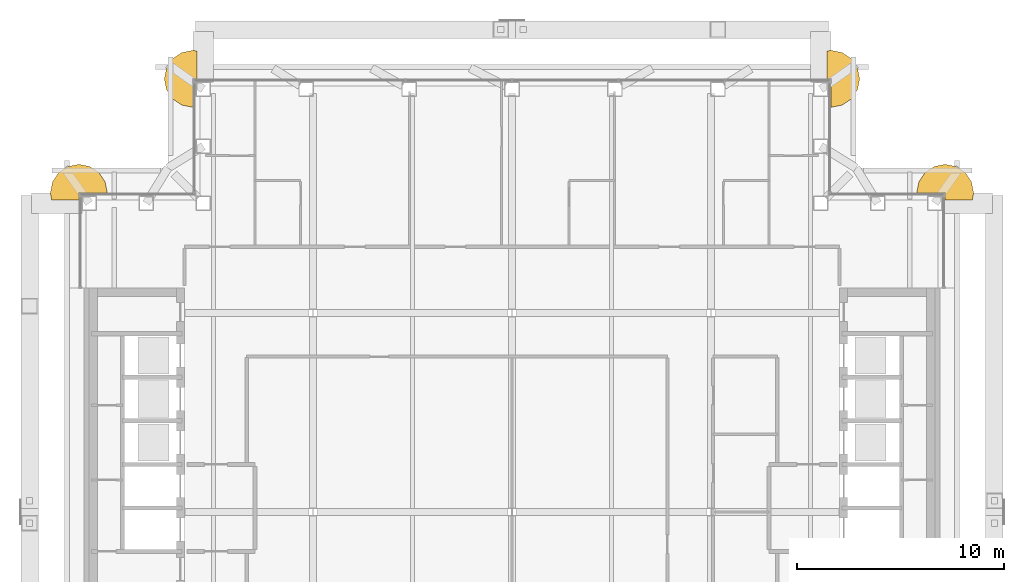
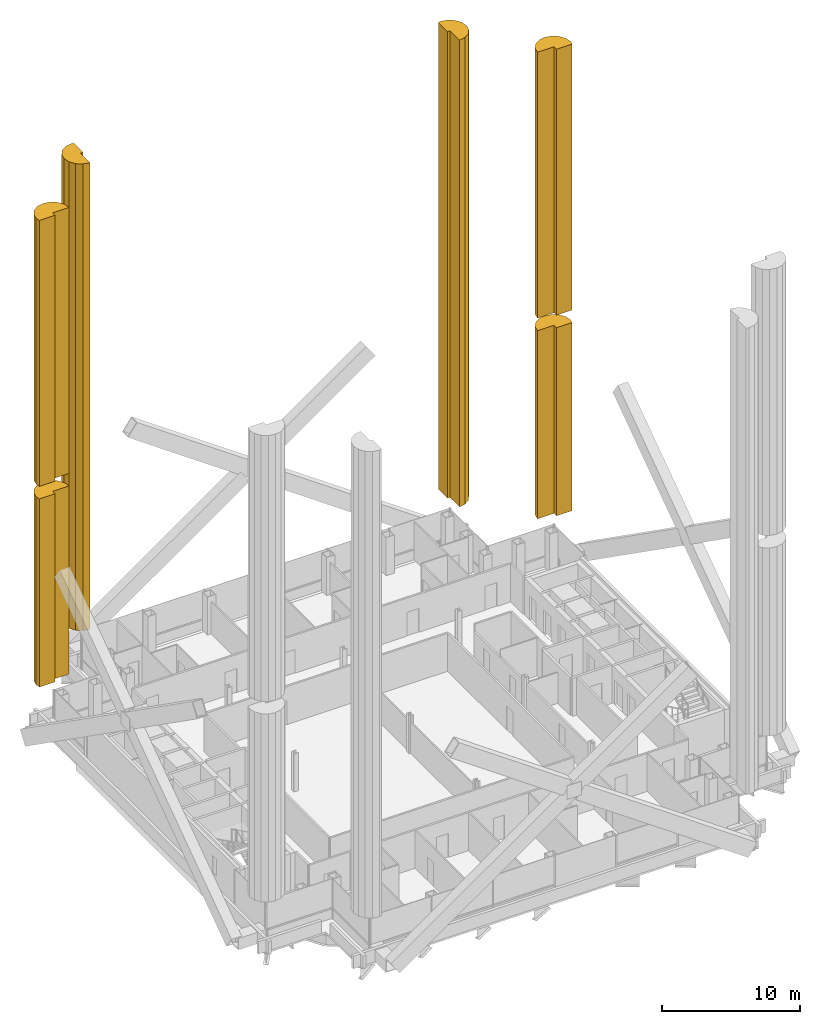
# One storey, part 21 of 22: 6 coverings.
"""IFC4 building model written with IfcOpenShell, lengths in metres."""

import ifcopenshell
import ifcopenshell.guid

model = None  # the IFC model being written
_history = None  # IfcOwnerHistory: only IFC2X3 demands one
_inside = {}  # id of a spatial element -> (the spatial element, [elements in it])
_under = {}  # id of a project, library or spatial element -> (it, [spatial elements below it])
_declared = {}  # id of a project -> (the project, [libraries it declares])
_typed = {}  # id of a type object -> (the type object, [elements of that type])
_made_of = {}  # id of a material, layer set ... -> (it, [elements and type objects made of it])


def new_model(schema):
    """Start an empty IFC model of exactly this schema.

    Asked for "IFC4X3", IfcOpenShell would pick the latest addendum, in which some entities
    have other attributes; the version numbers below select the first issue.
    IFC2X3 requires an IfcOwnerHistory on every rooted entity: one is made here for all.
    """
    global model, _history
    if schema == "IFC4X3":
        model = ifcopenshell.file(schema_version=(4, 3, 0, 0))
    else:
        model = ifcopenshell.file(schema=schema)
    _inside.clear()
    _under.clear()
    _declared.clear()
    _typed.clear()
    _made_of.clear()
    _history = None
    if model.schema == "IFC2X3":
        org = make("IfcOrganization", Name="unknown")
        user = make(
            "IfcPersonAndOrganization",
            ThePerson=make("IfcPerson", FamilyName="unknown"),
            TheOrganization=org,
        )
        app = make(
            "IfcApplication",
            ApplicationDeveloper=org,
            Version="unknown",
            ApplicationFullName="unknown",
            ApplicationIdentifier="unknown",
        )
        _history = make(
            "IfcOwnerHistory",
            OwningUser=user,
            OwningApplication=app,
            ChangeAction="ADDED",
            CreationDate=0,
        )
    return model


def make(cls, **values):
    """One entity of the class cls with the attributes given. An attribute that is None is left unset."""
    return model.create_entity(
        cls, **{name: value for name, value in values.items() if value is not None}
    )


def rooted(cls, **values):
    """An entity with a GlobalId (a new one), such as an element, a storey or a relation."""
    return make(cls, GlobalId=ifcopenshell.guid.new(), OwnerHistory=_history, **values)


def si_unit(unit_type, name, prefix=None):
    """IfcSIUnit, for example si_unit("LENGTHUNIT", "METRE", prefix="MILLI")."""
    return make("IfcSIUnit", UnitType=unit_type, Prefix=prefix, Name=name)


def assignment(units):
    """IfcUnitAssignment: the units of a project."""
    return None if units is None else make("IfcUnitAssignment", Units=units)


def point(xyz):
    """IfcCartesianPoint."""
    return None if xyz is None else make("IfcCartesianPoint", Coordinates=xyz)


def direction(xyz):
    """IfcDirection."""
    return None if xyz is None else make("IfcDirection", DirectionRatios=xyz)


def frame(location, z_axis=None, x_axis=None):
    """IfcAxis2Placement3D, a coordinate frame: its origin and axes. An axis left out is left unset."""
    return make(
        "IfcAxis2Placement3D",
        Location=point(location),
        Axis=direction(z_axis),
        RefDirection=direction(x_axis),
    )


def origin():
    """The frame at (0, 0, 0) with its axes left unset."""
    return frame((0.0, 0.0, 0.0))


def place(relative_to, where):
    """IfcLocalPlacement: puts the frame where relative to a parent placement (None: the world)."""
    return make(
        "IfcLocalPlacement", PlacementRelTo=relative_to, RelativePlacement=where
    )


def context(
    kind, dimensions, precision=None, world=None, true_north=None, identifier=None
):
    """IfcGeometricRepresentationContext, for example the 3D "Model" context."""
    return make(
        "IfcGeometricRepresentationContext",
        ContextIdentifier=identifier,
        ContextType=kind,
        CoordinateSpaceDimension=dimensions,
        Precision=precision,
        WorldCoordinateSystem=world,
        TrueNorth=true_north,
    )


def subcontext(parent, identifier, kind, view, scale=None):
    """IfcGeometricRepresentationSubContext, for example "Body" below "Model"."""
    return make(
        "IfcGeometricRepresentationSubContext",
        ContextIdentifier=identifier,
        ContextType=kind,
        ParentContext=parent,
        TargetScale=scale,
        TargetView=view,
    )


def project(units=None, contexts=None):
    """IfcProject with its units and contexts."""
    return rooted(
        "IfcProject",
        Name="project",
        RepresentationContexts=contexts,
        UnitsInContext=assignment(units),
    )


def spatial(cls, under=None, at=None, **own):
    """A site, building, storey or space (cls), placed at a placement, below another one or the project."""
    s = rooted(cls, ObjectPlacement=at, **own)
    if under is not None:
        _under.setdefault(under.id(), (under, []))[1].append(s)
    return s


def polyline(points):
    """IfcPolyline through the points."""
    return make("IfcPolyline", Points=[point(p) for p in points])


def outline(outer, holes=None, kind="AREA"):
    """IfcArbitraryClosedProfileDef: a profile drawn as a closed curve; with holes, ...WithVoids."""
    if holes is None:
        return make("IfcArbitraryClosedProfileDef", ProfileType=kind, OuterCurve=outer)
    return make(
        "IfcArbitraryProfileDefWithVoids",
        ProfileType=kind,
        OuterCurve=outer,
        InnerCurves=holes,
    )


def extrude(swept, where, along, depth):
    """IfcExtrudedAreaSolid: the profile swept, set in the frame where, extruded along a direction by depth."""
    return make(
        "IfcExtrudedAreaSolid",
        SweptArea=swept,
        Position=where,
        ExtrudedDirection=direction(along),
        Depth=depth,
    )


def shape(context_of_items, identifier, shape_type, items):
    """IfcShapeRepresentation: the items that make up one representation, for example the "Body"."""
    return make(
        "IfcShapeRepresentation",
        ContextOfItems=context_of_items,
        RepresentationIdentifier=identifier,
        RepresentationType=shape_type,
        Items=items,
    )


def material(Name=None, Category=None):
    """IfcMaterial."""
    return make("IfcMaterial", Name=Name, Category=Category)


def made_of(thing, what):
    """Note that an element or type object is made of a material, layer set ...; save() writes the relation."""
    if what is not None:
        _made_of.setdefault(what.id(), (what, []))[1].append(thing)
    return thing


def type_object(cls, material=None, **own):
    """A type object (cls), such as IfcWallType, which elements share."""
    return made_of(rooted(cls, **own), material)


def element(
    cls,
    number,
    at=None,
    inside=None,
    cuts=None,
    type_object=None,
    material=None,
    context=None,
    identifier="Body",
    shape_type=None,
    held_by="IfcProductDefinitionShape",
    body=None,
    shapes=None,
    **own,
):
    """One element of the class cls, such as IfcWall. Its Tag is "e" and its number.

    at: its placement. inside: the storey or other place that contains it. cuts: it is an
    opening in that element (IfcRelVoidsElement). A single representation is given by context,
    identifier, shape_type and body (its items); several are given by shapes. held_by: the class
    of the entity that holds the representations. save() writes the other relations.
    """
    e = rooted(cls, Tag="e%d" % number, ObjectPlacement=at, **own)
    if body is not None:
        shapes = [shape(context, identifier, shape_type, body)]
    if shapes is not None:
        e.Representation = make(held_by, Representations=shapes)
    if inside is not None:
        _inside.setdefault(inside.id(), (inside, []))[1].append(e)
    if cuts is not None:
        rooted(
            "IfcRelVoidsElement", RelatingBuildingElement=cuts, RelatedOpeningElement=e
        )
    if type_object is not None:
        _typed.setdefault(type_object.id(), (type_object, []))[1].append(e)
    return made_of(e, material)


def aggregate(whole, parts):
    """IfcRelAggregates: a whole, such as a stair, and the parts it consists of."""
    return rooted("IfcRelAggregates", RelatingObject=whole, RelatedObjects=parts)


def save(model, path):
    """Write the relations noted so far, then the file.

    IfcRelAggregates (storeys below a building ...), IfcRelContainedInSpatialStructure (elements
    in a storey), IfcRelDefinesByType, IfcRelAssociatesMaterial and IfcRelDeclares: one each for
    every whole, place, type object, material and project.
    """
    for whole, parts in _under.values():
        aggregate(whole, parts)
    for where, things in _inside.values():
        rooted(
            "IfcRelContainedInSpatialStructure",
            RelatedElements=things,
            RelatingStructure=where,
        )
    for kind, things in _typed.values():
        rooted("IfcRelDefinesByType", RelatedObjects=things, RelatingType=kind)
    for what, things in _made_of.values():
        rooted("IfcRelAssociatesMaterial", RelatedObjects=things, RelatingMaterial=what)
    for by, libraries in _declared.values():
        rooted("IfcRelDeclares", RelatingContext=by, RelatedDefinitions=libraries)
    model.write(path)


model = new_model("IFC4")

# Units and contexts
model_context = context("Model", 3, precision=1e-05, world=origin(), true_north=direction((0.0, 1.0)))
body_context = subcontext(model_context, "Body", "Model", "MODEL_VIEW")
ifc_project = project(units=[si_unit("LENGTHUNIT", "METRE"), si_unit("AREAUNIT", "SQUARE_METRE"), si_unit("VOLUMEUNIT", "CUBIC_METRE"), si_unit("PLANEANGLEUNIT", "RADIAN"), si_unit("MASSUNIT", "GRAM", prefix="KILO")], contexts=[model_context])

# Site, building, storey
site_placement = place(None, origin())
site = spatial("IfcSite", under=ifc_project, at=site_placement, CompositionType="ELEMENT")
building_placement = place(site_placement, origin())
building = spatial("IfcBuilding", under=site, at=building_placement, Name="Cobrizo Arcos Hotel Tower", CompositionType="ELEMENT")
storey_placement = place(building_placement, frame((0.0, 0.0, 191.0)))
storey = spatial("IfcBuildingStorey", under=building, at=storey_placement, Name="L49", CompositionType="ELEMENT", Elevation=191.0)

# Coverings
ifc_material = material(Name="Aluminium 6063-T6 anodised pale", Category="aluminium")
covering_type = type_object("IfcCoveringType", Name="RB-2 notch bullnose roll R1375", PredefinedType="CLADDING", material=ifc_material)
covering_1_placement = place(storey_placement, frame((0.0, 0.0, 4.362548828125)))
element("IfcCovering", 1, at=covering_1_placement, inside=storey, type_object=covering_type, Name="Notch bullnose roll 25", PredefinedType="CLADDING", context=body_context, shape_type="SweptSolid", body=[
    extrude(outline(polyline([(16.372314453125, 19.927734375), (16.67041015625, 20.373779296875), (16.77490234375, 20.89990234375), (16.67041015625, 21.42626953125), (16.372314453125, 21.872314453125), (15.92626953125, 22.17041015625), (15.39990234375, 22.27490234375), (15.199951171875, 22.235107421875), (15.199951171875, 20.89990234375), (15.39990234375, 20.89990234375), (15.39990234375, 19.52490234375), (15.92626953125, 19.629638671875), (16.372314453125, 19.927734375)])), origin(), (0.0, 0.0, 1.0), 41.137451171875),
])
covering_2_placement = place(storey_placement, frame((0.0, 0.0, 4.362548828125)))
element("IfcCovering", 2, at=covering_2_placement, inside=storey, type_object=covering_type, Name="Notch bullnose roll 26", PredefinedType="CLADDING", context=body_context, shape_type="SweptSolid", body=[
    extrude(outline(polyline([(-16.372314453125, 19.927734375), (-15.92626953125, 19.629638671875), (-15.39990234375, 19.52490234375), (-15.39990234375, 20.89990234375), (-15.199951171875, 20.89990234375), (-15.199951171875, 22.235107421875), (-15.39990234375, 22.27490234375), (-15.92626953125, 22.17041015625), (-16.372314453125, 21.872314453125), (-16.67041015625, 21.42626953125), (-16.77490234375, 20.89990234375), (-16.67041015625, 20.373779296875), (-16.372314453125, 19.927734375)])), origin(), (0.0, 0.0, 1.0), 41.137451171875),
])
covering_3_placement = place(storey_placement, frame((0.0, 0.0, 4.362548828125)))
element("IfcCovering", 3, at=covering_3_placement, inside=storey, type_object=covering_type, Name="Notch bullnose roll 28", PredefinedType="CLADDING", context=body_context, shape_type="SweptSolid", body=[
    extrude(outline(polyline([(19.927734375, 16.372314453125), (19.629638671875, 15.92626953125), (19.52490234375, 15.39990234375), (20.89990234375, 15.39990234375), (20.89990234375, 15.050048828125), (22.205322265625, 15.050048828125), (22.27490234375, 15.39990234375), (22.17041015625, 15.92626953125), (21.872314453125, 16.372314453125), (21.42626953125, 16.67041015625), (20.89990234375, 16.77490234375), (20.373779296875, 16.67041015625), (19.927734375, 16.372314453125)])), origin(), (0.0, 0.0, 1.0), 16.58740234375),
])
covering_4_placement = place(storey_placement, frame((0.0, 0.0, 22.050048828125)))
element("IfcCovering", 4, at=covering_4_placement, inside=storey, type_object=covering_type, Name="Notch bullnose roll 28 part 2", PredefinedType="CLADDING", context=body_context, shape_type="SweptSolid", body=[
    extrude(outline(polyline([(19.927734375, 16.372314453125), (19.629638671875, 15.92626953125), (19.52490234375, 15.39990234375), (20.89990234375, 15.39990234375), (20.89990234375, 15.050048828125), (22.205322265625, 15.050048828125), (22.27490234375, 15.39990234375), (22.17041015625, 15.92626953125), (21.872314453125, 16.372314453125), (21.42626953125, 16.67041015625), (20.89990234375, 16.77490234375), (20.373779296875, 16.67041015625), (19.927734375, 16.372314453125)])), origin(), (0.0, 0.0, 1.0), 23.449951171875),
])
covering_5_placement = place(storey_placement, frame((0.0, 0.0, 4.362548828125)))
element("IfcCovering", 5, at=covering_5_placement, inside=storey, type_object=covering_type, Name="Notch bullnose roll 31", PredefinedType="CLADDING", context=body_context, shape_type="SweptSolid", body=[
    extrude(outline(polyline([(-19.927734375, 16.372314453125), (-20.373779296875, 16.67041015625), (-20.89990234375, 16.77490234375), (-21.42626953125, 16.67041015625), (-21.872314453125, 16.372314453125), (-22.17041015625, 15.92626953125), (-22.27490234375, 15.39990234375), (-22.205322265625, 15.050048828125), (-20.89990234375, 15.050048828125), (-20.89990234375, 15.39990234375), (-19.52490234375, 15.39990234375), (-19.629638671875, 15.92626953125), (-19.927734375, 16.372314453125)])), origin(), (0.0, 0.0, 1.0), 16.58740234375),
])
covering_6_placement = place(storey_placement, frame((0.0, 0.0, 22.050048828125)))
element("IfcCovering", 6, at=covering_6_placement, inside=storey, type_object=covering_type, Name="Notch bullnose roll 31 part 2", PredefinedType="CLADDING", context=body_context, shape_type="SweptSolid", body=[
    extrude(outline(polyline([(-19.927734375, 16.372314453125), (-20.373779296875, 16.67041015625), (-20.89990234375, 16.77490234375), (-21.42626953125, 16.67041015625), (-21.872314453125, 16.372314453125), (-22.17041015625, 15.92626953125), (-22.27490234375, 15.39990234375), (-22.205322265625, 15.050048828125), (-20.89990234375, 15.050048828125), (-20.89990234375, 15.39990234375), (-19.52490234375, 15.39990234375), (-19.629638671875, 15.92626953125), (-19.927734375, 16.372314453125)])), origin(), (0.0, 0.0, 1.0), 23.449951171875),
])

save(model, "model.ifc")
